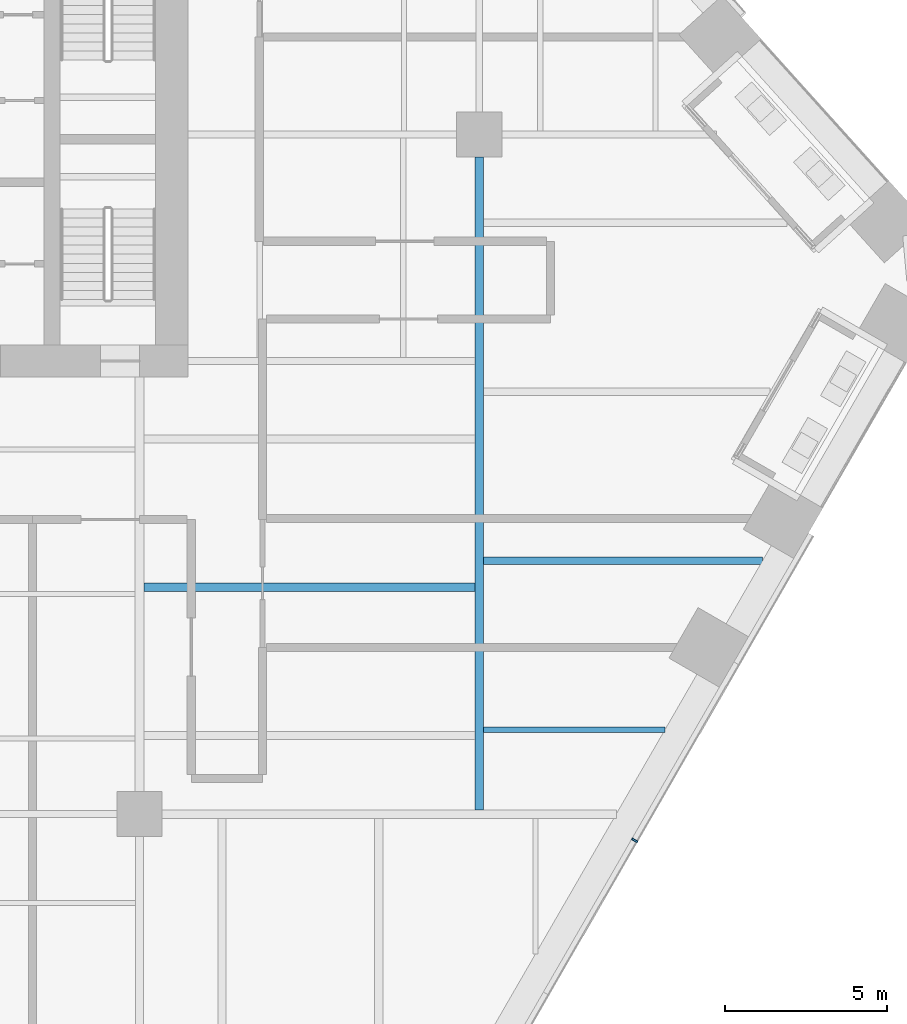
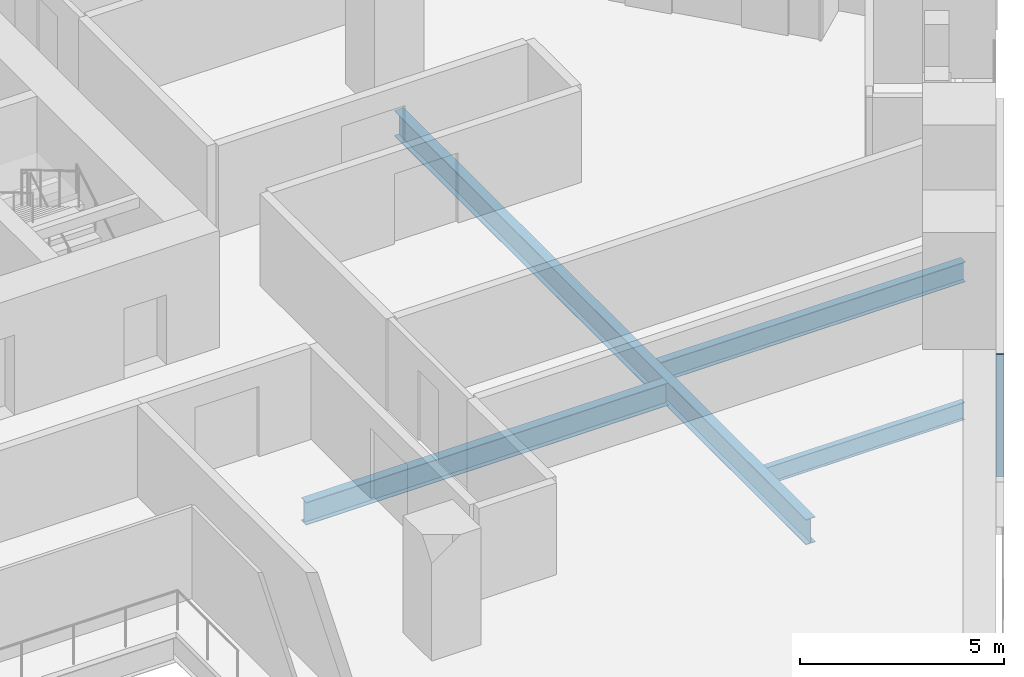
# One storey, part 8 of 31: 4 beams, 1 member, 1 element without a shape of its own.
"""IFC4 building model written with IfcOpenShell, lengths in metres."""

from ifc_helpers import new_model, si_unit, direction, frame, origin, origin_2d, place, context, subcontext, project, spatial, rectangle, i_section, extrude, material, layer, layer_set, material_profile, profile_set, type_object, element, aggregate, save


model = new_model("IFC4")

# Units and contexts
model_context = context("Model", 3, precision=1e-05, world=origin(), true_north=direction((0.0, 1.0)))
body_context = subcontext(model_context, "Body", "Model", "MODEL_VIEW")
ifc_project = project(units=[si_unit("LENGTHUNIT", "METRE"), si_unit("AREAUNIT", "SQUARE_METRE"), si_unit("VOLUMEUNIT", "CUBIC_METRE"), si_unit("PLANEANGLEUNIT", "RADIAN"), si_unit("MASSUNIT", "GRAM", prefix="KILO")], contexts=[model_context])

# Site, building, storey
site_placement = place(None, origin())
site = spatial("IfcSite", under=ifc_project, at=site_placement, CompositionType="ELEMENT")
building_placement = place(site_placement, origin())
building = spatial("IfcBuilding", under=site, at=building_placement, Name="Isthmus Gate Tower", CompositionType="ELEMENT")
storey_placement = place(building_placement, frame((0.0, 0.0, 54.25)))
storey = spatial("IfcBuildingStorey", under=building, at=storey_placement, Name="L11", CompositionType="ELEMENT", Elevation=54.25)

# Curtain wall, member
ifc_material_1 = material(Name="Aluminium, pale champagne anodised", Category="aluminium")
ifc_layer = layer(ifc_material_1, 0.199951171875)
ifc_layer_set = layer_set([ifc_layer], Name="CW-1 UNITISED CURTAIN WALL 200 DEEP")
curtain_wall_type = type_object("IfcCurtainWallType", Name="CW-1 UNITISED CURTAIN WALL 200 DEEP", PredefinedType="NOTDEFINED", material=ifc_layer_set)
curtain_wall_placement = place(storey_placement, origin())
curtain_wall = element("IfcCurtainWall", 1, at=curtain_wall_placement, inside=storey, type_object=curtain_wall_type, Name="CW-1 SE L11", PredefinedType="NOTDEFINED")
ifc_material_2 = material(Name="Aluminium, pale champagne anodised", Category="aluminium")
ifc_material_profile_1 = material_profile(ifc_material_2, rectangle(XDim=0.06005859375, YDim=0.199951171875, at=origin_2d()), Name="60x200")
ifc_profile_set_1 = profile_set([ifc_material_profile_1], Name="Aluminium, pale champagne anodised")
member_type = type_object("IfcMemberType", Name="CW-1 MULLION 60 X 200", PredefinedType="MULLION", material=ifc_profile_set_1)
member_placement = place(storey_placement, frame((28.802001953125, -14.3134765625, 0.0), z_axis=(0.0, 0.0, 1.0), x_axis=(0.5, 0.866025403784, 0.0)))
member = element("IfcMember", 2, at=member_placement, type_object=member_type, Name="CW-1 mullion", PredefinedType="MULLION", context=body_context, shape_type="SweptSolid", body=[
    extrude(rectangle(XDim=0.06005859375, YDim=0.199951171875, at=origin_2d()), origin(), (0.0, 0.0, 1.0), 3.64990234375),
])
aggregate(curtain_wall, [member])

# Beams
ifc_material_3 = material(Name="Structural steel ASTM A992 Gr 50", Category="steel")
ifc_material_profile_2 = material_profile(ifc_material_3, i_section(OverallWidth=0.1650390625, OverallDepth=0.52392578125, WebThickness=0.009521484375, FlangeThickness=0.010986328125, at=origin_2d()), Name="W21X44")
ifc_profile_set_2 = profile_set([ifc_material_profile_2], Name="Structural steel ASTM A992 Gr 50")
beam_type_1 = type_object("IfcBeamType", Name="STEEL FLOOR BEAM W21X44", PredefinedType="JOIST", material=ifc_profile_set_2)
beam_1_placement = place(storey_placement, frame((24.13330078125, -10.889404296875, -0.411865234375), z_axis=(1.0, 0.0, 0.0), x_axis=(0.0, 1.0, 0.0)))
element("IfcBeam", 3, at=beam_1_placement, inside=storey, type_object=beam_type_1, Name="str-beam-L11-38-00", PredefinedType="JOIST", context=body_context, shape_type="SweptSolid", body=[
    extrude(i_section(OverallWidth=0.1650390625, OverallDepth=0.52392578125, WebThickness=0.009521484375, FlangeThickness=0.010986328125, at=origin_2d()), origin(), (0.0, 0.0, 1.0), 5.6064453125),
])
ifc_material_4 = material(Name="Structural steel ASTM A992 Gr 50", Category="steel")
ifc_material_profile_3 = material_profile(ifc_material_4, i_section(OverallWidth=0.228515625, OverallDepth=0.603271484375, WebThickness=0.010986328125, FlangeThickness=0.014404296875, at=origin_2d()), Name="W24X68")
ifc_profile_set_3 = profile_set([ifc_material_profile_3], Name="Structural steel ASTM A992 Gr 50")
beam_type_2 = type_object("IfcBeamType", Name="STEEL FLOOR BEAM W24X68", PredefinedType="JOIST", material=ifc_profile_set_3)
beam_2_placement = place(storey_placement, frame((24.13330078125, -5.66796875, -0.45166015625), z_axis=(1.0, 0.0, 0.0), x_axis=(0.0, 1.0, 0.0)))
element("IfcBeam", 4, at=beam_2_placement, inside=storey, type_object=beam_type_2, Name="str-beam-L11-38-01", PredefinedType="JOIST", context=body_context, shape_type="SweptSolid", body=[
    extrude(i_section(OverallWidth=0.228515625, OverallDepth=0.603271484375, WebThickness=0.010986328125, FlangeThickness=0.014404296875, at=origin_2d()), origin(), (0.0, 0.0, 1.0), 8.62109375),
])
ifc_material_5 = material(Name="Structural steel ASTM A992 Gr 50", Category="steel")
ifc_material_profile_4 = material_profile(ifc_material_5, i_section(OverallWidth=0.25390625, OverallDepth=0.679443359375, WebThickness=0.010986328125, FlangeThickness=0.015869140625, at=origin_2d()), Name="W27X84")
ifc_profile_set_4 = profile_set([ifc_material_profile_4], Name="Structural steel ASTM A992 Gr 50")
beam_type_3 = type_object("IfcBeamType", Name="STEEL FLOOR BEAM W27X84", PredefinedType="JOIST", material=ifc_profile_set_4)
beam_3_placement = place(storey_placement, frame((13.6318359375, -6.490478515625, -0.48974609375), z_axis=(1.0, 0.0, 0.0), x_axis=(0.0, 1.0, 0.0)))
element("IfcBeam", 5, at=beam_3_placement, inside=storey, type_object=beam_type_3, Name="str-beam-L11-31-01", PredefinedType="JOIST", context=body_context, shape_type="SweptSolid", body=[
    extrude(i_section(OverallWidth=0.25390625, OverallDepth=0.679443359375, WebThickness=0.010986328125, FlangeThickness=0.015869140625, at=origin_2d()), origin(), (0.0, 0.0, 1.0), 10.23486328125),
])
ifc_material_6 = material(Name="Structural steel ASTM A992 Gr 50", Category="steel")
ifc_material_profile_5 = material_profile(ifc_material_6, i_section(OverallWidth=0.2666015625, OverallDepth=0.7587890625, WebThickness=0.014404296875, FlangeThickness=0.01904296875, at=origin_2d()), Name="W30X108")
ifc_profile_set_5 = profile_set([ifc_material_profile_5], Name="Structural steel ASTM A992 Gr 50")
beam_type_4 = type_object("IfcBeamType", Name="STEEL GIRDER W30X108", PredefinedType="BEAM", material=ifc_profile_set_5)
beam_4_placement = place(storey_placement, frame((24.0, -13.36669921875, -0.529296875), z_axis=(0.0, 1.0, 0.0), x_axis=(-1.0, 0.0, 0.0)))
element("IfcBeam", 6, at=beam_4_placement, inside=storey, type_object=beam_type_4, Name="str-girder-L11-35", PredefinedType="BEAM", context=body_context, shape_type="SweptSolid", body=[
    extrude(i_section(OverallWidth=0.2666015625, OverallDepth=0.7587890625, WebThickness=0.014404296875, FlangeThickness=0.01904296875, at=origin_2d()), origin(), (0.0, 0.0, 1.0), 20.166748046875),
])

save(model, "model.ifc")
